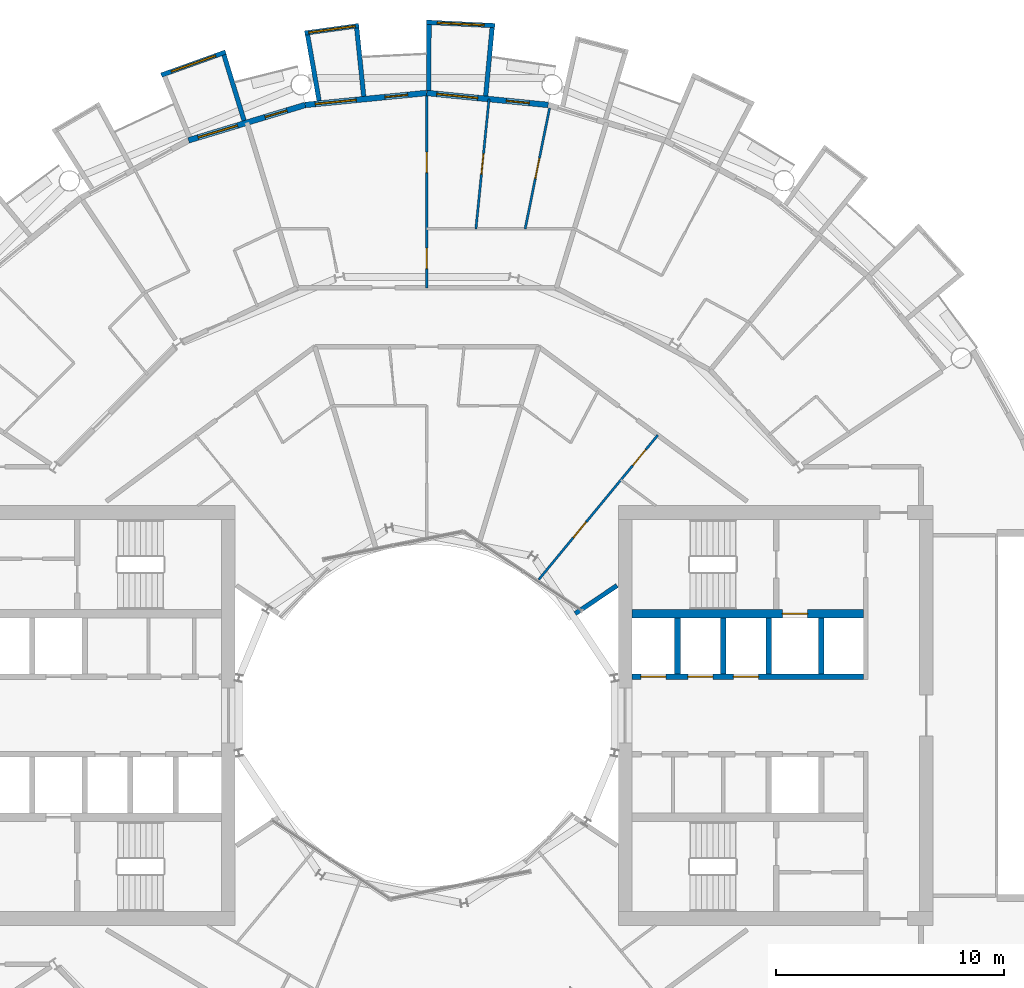
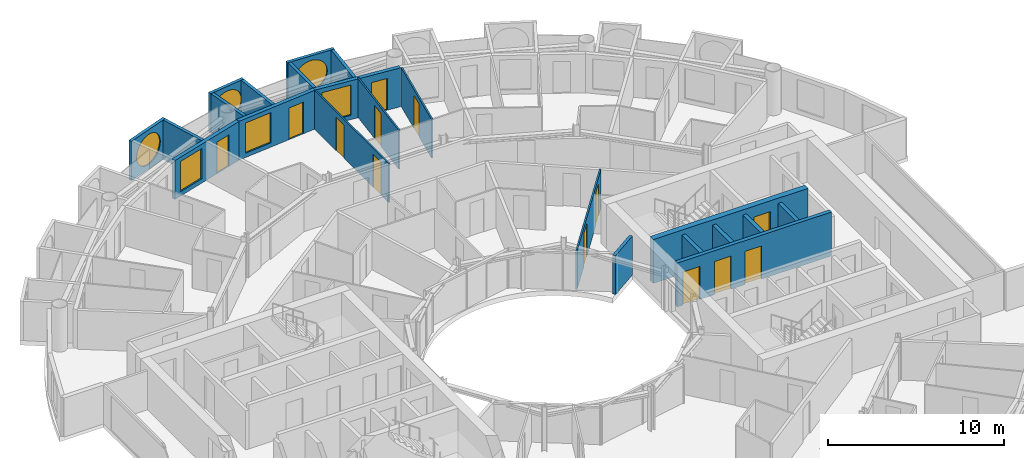
# One storey, part 21 of 27: 22 walls, 13 doors, 6 windows, 19 openings.
"""IFC4 building model written with IfcOpenShell, lengths in metres."""

from ifc_helpers import new_model, si_unit, direction, frame, frame_2d, origin, place, context, subcontext, project, spatial, rectangle, circle, extrude, material, layer, layer_set, type_object, element, fill, save


model = new_model("IFC4")

# Units and contexts
model_context = context("Model", 3, precision=1e-05, world=origin(), true_north=direction((0.0, 1.0)))
body_context = subcontext(model_context, "Body", "Model", "MODEL_VIEW")
ifc_project = project(units=[si_unit("LENGTHUNIT", "METRE"), si_unit("AREAUNIT", "SQUARE_METRE"), si_unit("VOLUMEUNIT", "CUBIC_METRE"), si_unit("PLANEANGLEUNIT", "RADIAN"), si_unit("MASSUNIT", "GRAM", prefix="KILO")], contexts=[model_context])

# Site, building, storey
site_placement = place(None, origin())
site = spatial("IfcSite", under=ifc_project, at=site_placement, CompositionType="ELEMENT")
building_placement = place(site_placement, origin())
building = spatial("IfcBuilding", under=site, at=building_placement, Name="Maasbend Ring Residences", CompositionType="ELEMENT")
storey_placement = place(building_placement, frame((0.0, 0.0, 120.800048828125)))
storey = spatial("IfcBuildingStorey", under=building, at=storey_placement, Name="L34", CompositionType="ELEMENT", Elevation=120.800048828125)

# Wall, openings, doors
ifc_material_1 = material(Name="Concrete C60/75", Category="concrete")
ifc_layer_1 = layer(ifc_material_1, 0.25)
ifc_layer_set_1 = layer_set([ifc_layer_1], Name="Concrete C60/75")
wall_type_1 = type_object("IfcWallType", Name="CORE WALL 250 C60/75", PredefinedType="SHEAR", material=ifc_layer_set_1)
wall_1_placement = place(storey_placement, frame((9.0, 1.699951171875, 0.0), z_axis=(0.0, 0.0, 1.0), x_axis=(1.0, 0.0, 0.0)))
wall_1 = element("IfcWall", 1, at=wall_1_placement, inside=storey, type_object=wall_type_1, Name="L34 core E wall SPN", PredefinedType="SHEAR", context=body_context, shape_type="SweptSolid", body=[
    extrude(rectangle(XDim=10.14990234375, YDim=0.25, at=frame_2d((5.074951171875, 0.0))), origin(), (0.0, 0.0, 1.0), 3.050048828125),
])
opening_1_placement = place(wall_1_placement, frame((0.387451171875, 0.0, 0.0)))
opening_1 = element("IfcOpeningElement", 2, at=opening_1_placement, cuts=wall_1, Name="Opening LD-E3401", PredefinedType="OPENING", context=body_context, shape_type="SweptSolid", body=[
    extrude(rectangle(XDim=1.10009765625, YDim=2.300048828125, at=frame_2d((0.550048828125, 1.14990234375))), frame((0.0, 0.135009765625, 0.0), z_axis=(0.0, -1.0, 0.0), x_axis=(1.0, 0.0, 0.0)), (0.0, 0.0, 1.0), 0.27001953125),
])
opening_2_placement = place(wall_1_placement, frame((2.449951171875, 0.0, 0.0)))
opening_2 = element("IfcOpeningElement", 3, at=opening_2_placement, cuts=wall_1, Name="Opening LD-E3402", PredefinedType="OPENING", context=body_context, shape_type="SweptSolid", body=[
    extrude(rectangle(XDim=1.10009765625, YDim=2.300048828125, at=frame_2d((0.550048828125, 1.14990234375))), frame((0.0, 0.135009765625, 0.0), z_axis=(0.0, -1.0, 0.0), x_axis=(1.0, 0.0, 0.0)), (0.0, 0.0, 1.0), 0.27001953125),
])
opening_3_placement = place(wall_1_placement, frame((4.449951171875, 0.0, 0.0)))
opening_3 = element("IfcOpeningElement", 4, at=opening_3_placement, cuts=wall_1, Name="Opening LD-E3403", PredefinedType="OPENING", context=body_context, shape_type="SweptSolid", body=[
    extrude(rectangle(XDim=1.10009765625, YDim=2.300048828125, at=frame_2d((0.550048828125, 1.14990234375))), frame((0.0, 0.135009765625, 0.0), z_axis=(0.0, -1.0, 0.0), x_axis=(1.0, 0.0, 0.0)), (0.0, 0.0, 1.0), 0.27001953125),
])
ifc_material_2 = material(Name="Stainless steel 316", Category="steel")
door_type_1 = type_object("IfcDoorType", Name="LANDING DOOR 1100 X 2300 FD60", OperationType="DOUBLE_DOOR_SLIDING", PredefinedType="DOOR", material=ifc_material_2)
door_1_placement = place(opening_1_placement, origin())
door_1 = element("IfcDoor", 5, at=door_1_placement, inside=storey, type_object=door_type_1, Name="Landing door LR-E1 L34", OperationType="DOUBLE_DOOR_SLIDING", OverallHeight=2.300048828125, OverallWidth=1.10009765625, PredefinedType="DOOR", context=body_context, shape_type="SweptSolid", body=[
    extrude(rectangle(XDim=1.10009765625, YDim=2.300048828125, at=frame_2d((0.550048828125, 1.14990234375))), frame((0.0, 0.02490234375, 0.0), z_axis=(0.0, -1.0, 0.0), x_axis=(1.0, 0.0, 0.0)), (0.0, 0.0, 1.0), 0.050048828125),
])
fill(opening_1, door_1)
door_2_placement = place(opening_2_placement, origin())
door_2 = element("IfcDoor", 6, at=door_2_placement, inside=storey, type_object=door_type_1, Name="Landing door LR-E2 L34", OperationType="DOUBLE_DOOR_SLIDING", OverallHeight=2.300048828125, OverallWidth=1.10009765625, PredefinedType="DOOR", context=body_context, shape_type="SweptSolid", body=[
    extrude(rectangle(XDim=1.10009765625, YDim=2.300048828125, at=frame_2d((0.550048828125, 1.14990234375))), frame((0.0, 0.02490234375, 0.0), z_axis=(0.0, -1.0, 0.0), x_axis=(1.0, 0.0, 0.0)), (0.0, 0.0, 1.0), 0.050048828125),
])
fill(opening_2, door_2)
door_3_placement = place(opening_3_placement, origin())
door_3 = element("IfcDoor", 7, at=door_3_placement, inside=storey, type_object=door_type_1, Name="Landing door LR-E3 L34", OperationType="DOUBLE_DOOR_SLIDING", OverallHeight=2.300048828125, OverallWidth=1.10009765625, PredefinedType="DOOR", context=body_context, shape_type="SweptSolid", body=[
    extrude(rectangle(XDim=1.10009765625, YDim=2.300048828125, at=frame_2d((0.550048828125, 1.14990234375))), frame((0.0, 0.02490234375, 0.0), z_axis=(0.0, -1.0, 0.0), x_axis=(1.0, 0.0, 0.0)), (0.0, 0.0, 1.0), 0.050048828125),
])
fill(opening_3, door_3)

# Wall, opening, door
ifc_material_3 = material(Name="Concrete C60/75", Category="concrete")
ifc_layer_2 = layer(ifc_material_3, 0.375)
ifc_layer_set_2 = layer_set([ifc_layer_2], Name="Concrete C60/75")
wall_type_2 = type_object("IfcWallType", Name="CORE WALL 375 C60/75", PredefinedType="SHEAR", material=ifc_layer_set_2)
wall_2_placement = place(storey_placement, frame((9.0, 4.46240234375, 0.0), z_axis=(0.0, 0.0, 1.0), x_axis=(1.0, 0.0, 0.0)))
wall_2 = element("IfcWall", 8, at=wall_2_placement, inside=storey, type_object=wall_type_2, Name="L34 core E wall BN", PredefinedType="SHEAR", context=body_context, shape_type="SweptSolid", body=[
    extrude(rectangle(XDim=10.14990234375, YDim=0.375, at=frame_2d((5.074951171875, 0.0))), origin(), (0.0, 0.0, 1.0), 3.050048828125),
])
opening_4_placement = place(wall_2_placement, frame((6.60009765625, 0.0, 0.0)))
opening_4 = element("IfcOpeningElement", 9, at=opening_4_placement, cuts=wall_2, Name="Opening LD-E3404", PredefinedType="OPENING", context=body_context, shape_type="SweptSolid", body=[
    extrude(rectangle(XDim=1.10009765625, YDim=2.300048828125, at=frame_2d((0.550048828125, 1.14990234375))), frame((0.0, 0.197509765625, 0.0), z_axis=(0.0, -1.0, 0.0), x_axis=(1.0, 0.0, 0.0)), (0.0, 0.0, 1.0), 0.39501953125),
])
door_4_placement = place(opening_4_placement, origin())
door_4 = element("IfcDoor", 10, at=door_4_placement, inside=storey, type_object=door_type_1, Name="Landing door FF-E L34", OperationType="DOUBLE_DOOR_SLIDING", OverallHeight=2.300048828125, OverallWidth=1.10009765625, PredefinedType="DOOR", context=body_context, shape_type="SweptSolid", body=[
    extrude(rectangle(XDim=1.10009765625, YDim=2.300048828125, at=frame_2d((0.550048828125, 1.14990234375))), frame((0.0, 0.02490234375, 0.0), z_axis=(0.0, -1.0, 0.0), x_axis=(1.0, 0.0, 0.0)), (0.0, 0.0, 1.0), 0.050048828125),
])
fill(opening_4, door_4)

# Wall, opening, window
ifc_material_4 = material(Name="Pale anodised aluminium panel", Category="aluminium")
ifc_layer_3 = layer(ifc_material_4, 0.199951171875)
ifc_layer_set_3 = layer_set([ifc_layer_3], Name="EW-BOX")
wall_type_3 = type_object("IfcWallType", Name="EW-BOX", PredefinedType="SOLIDWALL", material=ifc_layer_set_3)
wall_3_placement = place(storey_placement, frame((2.985107421875, 30.2529296875, -0.030029296875), z_axis=(0.0, 0.0, 1.0), x_axis=(-0.998794083011, 0.049095618353, 0.0)))
wall_3 = element("IfcWall", 11, at=wall_3_placement, inside=storey, type_object=wall_type_3, Name="Box front N10", PredefinedType="SOLIDWALL", context=body_context, shape_type="SweptSolid", body=[
    extrude(rectangle(XDim=2.99365234375, YDim=0.199951171875, at=frame_2d((1.496826171875, 0.0))), origin(), (0.0, 0.0, 1.0), 2.72998046875),
])
opening_5_placement = place(wall_3_placement, frame((0.45654296875, 0.0, 0.330078125)))
opening_5 = element("IfcOpeningElement", 12, at=opening_5_placement, cuts=wall_3, Name="Opening W-RD", PredefinedType="OPENING", context=body_context, shape_type="SweptSolid", body=[
    extrude(circle(Radius=1.0400390625, at=frame_2d((1.0400390625, 1.0400390625))), frame((0.0, 0.10986328125, 0.0), z_axis=(0.0, -1.0, 0.0), x_axis=(1.0, 0.0, 0.0)), (0.0, 0.0, 1.0), 0.219970703125),
])
ifc_material_5 = material(Name="Aluminium and clear glass", Category="aluminium")
window_type_1 = type_object("IfcWindowType", Name="W-RD", PartitioningType="SINGLE_PANEL", PredefinedType="WINDOW", material=ifc_material_5)
window_1_placement = place(opening_5_placement, origin())
window_1 = element("IfcWindow", 13, at=window_1_placement, inside=storey, type_object=window_type_1, Name="Round window N10", OverallHeight=2.080078125, OverallWidth=2.080078125, PartitioningType="SINGLE_PANEL", PredefinedType="WINDOW", context=body_context, shape_type="SweptSolid", body=[
    extrude(circle(Radius=1.0400390625, at=frame_2d((1.0400390625, 1.0400390625))), frame((0.0, 0.030029296875, 0.0), z_axis=(0.0, -1.0, 0.0), x_axis=(1.0, 0.0, 0.0)), (0.0, 0.0, 1.0), 0.06005859375),
])
fill(opening_5, window_1)

# Walls
wall_4_placement = place(storey_placement, frame((2.5859375, 27.1708984375, -0.030029296875), z_axis=(0.0, 0.0, 1.0), x_axis=(0.094548432284, 0.995520262954, 0.0)))
element("IfcWall", 14, at=wall_4_placement, inside=storey, type_object=wall_type_3, Name="Box side wall N10 left", PredefinedType="SOLIDWALL", context=body_context, shape_type="SweptSolid", body=[
    extrude(rectangle(XDim=3.005615234375, YDim=0.199951171875, at=frame_2d((1.5029296875, 0.0))), origin(), (0.0, 0.0, 1.0), 2.72998046875),
])
wall_5_placement = place(storey_placement, frame((0.090087890625, 27.4169921875, -0.030029296875), z_axis=(0.0, 0.0, 1.0), x_axis=(0.00347308367, 0.999993968827, 0.0)))
element("IfcWall", 15, at=wall_5_placement, inside=storey, type_object=wall_type_3, Name="Box side wall N10 right", PredefinedType="SOLIDWALL", context=body_context, shape_type="SweptSolid", body=[
    extrude(rectangle(XDim=2.882080078125, YDim=0.199951171875, at=frame_2d((1.44091796875, 0.0))), origin(), (0.0, 0.0, 1.0), 2.72998046875),
])

# Wall, opening, window
wall_6_placement = place(storey_placement, frame((-2.97607421875, 30.25390625, -0.030029296875), z_axis=(0.0, 0.0, 1.0), x_axis=(-0.99061207328, -0.136703036805, 0.0)))
wall_6 = element("IfcWall", 16, at=wall_6_placement, inside=storey, type_object=wall_type_3, Name="Box front N12", PredefinedType="SOLIDWALL", context=body_context, shape_type="SweptSolid", body=[
    extrude(rectangle(XDim=2.391357421875, YDim=0.199951171875, at=frame_2d((1.19580078125, 0.0))), origin(), (0.0, 0.0, 1.0), 2.72998046875),
])
opening_6_placement = place(wall_6_placement, frame((0.15576171875, 0.0, 0.330078125)))
opening_6 = element("IfcOpeningElement", 17, at=opening_6_placement, cuts=wall_6, Name="Opening W-RD", PredefinedType="OPENING", context=body_context, shape_type="SweptSolid", body=[
    extrude(circle(Radius=1.0400390625, at=frame_2d((1.0400390625, 1.0400390625))), frame((0.0, 0.10986328125, 0.0), z_axis=(0.0, -1.0, 0.0), x_axis=(1.0, 0.0, 0.0)), (0.0, 0.0, 1.0), 0.219970703125),
])
window_2_placement = place(opening_6_placement, origin())
window_2 = element("IfcWindow", 18, at=window_2_placement, inside=storey, type_object=window_type_1, Name="Round window N12", OverallHeight=2.080078125, OverallWidth=2.080078125, PartitioningType="SINGLE_PANEL", PredefinedType="WINDOW", context=body_context, shape_type="SweptSolid", body=[
    extrude(circle(Radius=1.0400390625, at=frame_2d((1.0400390625, 1.0400390625))), frame((0.0, 0.030029296875, 0.0), z_axis=(0.0, -1.0, 0.0), x_axis=(1.0, 0.0, 0.0)), (0.0, 0.0, 1.0), 0.06005859375),
])
fill(opening_6, window_2)

# Walls
wall_7_placement = place(storey_placement, frame((-2.763916015625, 27.153076171875, -0.030029296875), z_axis=(0.0, 0.0, 1.0), x_axis=(-0.101505487237, 0.994834979311, 0.0)))
element("IfcWall", 19, at=wall_7_placement, inside=storey, type_object=wall_type_3, Name="Box side wall N12 left", PredefinedType="SOLIDWALL", context=body_context, shape_type="SweptSolid", body=[
    extrude(rectangle(XDim=3.006591796875, YDim=0.199951171875, at=frame_2d((1.50341796875, 0.0))), origin(), (0.0, 0.0, 1.0), 2.72998046875),
])
wall_8_placement = place(storey_placement, frame((-4.719970703125, 26.9609375, -0.030029296875), z_axis=(0.0, 0.0, 1.0), x_axis=(-0.172463232037, 0.98501595601, 0.0)))
element("IfcWall", 20, at=wall_8_placement, inside=storey, type_object=wall_type_3, Name="Box side wall N12 right", PredefinedType="SOLIDWALL", context=body_context, shape_type="SweptSolid", body=[
    extrude(rectangle(XDim=2.928955078125, YDim=0.199951171875, at=frame_2d((1.46435546875, 0.0))), origin(), (0.0, 0.0, 1.0), 2.72998046875),
])

# Wall, opening, window
wall_9_placement = place(storey_placement, frame((-8.820068359375, 29.093017578125, -0.030029296875), z_axis=(0.0, 0.0, 1.0), x_axis=(-0.941461077774, -0.337121697664, 0.0)))
wall_9 = element("IfcWall", 21, at=wall_9_placement, inside=storey, type_object=wall_type_3, Name="Box front N14", PredefinedType="SOLIDWALL", context=body_context, shape_type="SweptSolid", body=[
    extrude(rectangle(XDim=2.9931640625, YDim=0.199951171875, at=frame_2d((1.49658203125, 0.0))), origin(), (0.0, 0.0, 1.0), 2.72998046875),
])
opening_7_placement = place(wall_9_placement, frame((0.45654296875, 0.0, 0.330078125)))
opening_7 = element("IfcOpeningElement", 22, at=opening_7_placement, cuts=wall_9, Name="Opening W-RD", PredefinedType="OPENING", context=body_context, shape_type="SweptSolid", body=[
    extrude(circle(Radius=1.0400390625, at=frame_2d((1.0400390625, 1.0400390625))), frame((0.0, 0.10986328125, 0.0), z_axis=(0.0, -1.0, 0.0), x_axis=(1.0, 0.0, 0.0)), (0.0, 0.0, 1.0), 0.219970703125),
])
window_3_placement = place(opening_7_placement, origin())
window_3 = element("IfcWindow", 23, at=window_3_placement, inside=storey, type_object=window_type_1, Name="Round window N14", OverallHeight=2.080078125, OverallWidth=2.080078125, PartitioningType="SINGLE_PANEL", PredefinedType="WINDOW", context=body_context, shape_type="SweptSolid", body=[
    extrude(circle(Radius=1.0400390625, at=frame_2d((1.0400390625, 1.0400390625))), frame((0.0, 0.030029296875, 0.0), z_axis=(0.0, -1.0, 0.0), x_axis=(1.0, 0.0, 0.0)), (0.0, 0.0, 1.0), 0.06005859375),
])
fill(opening_7, window_3)

# Wall
wall_10_placement = place(storey_placement, frame((-8.009033203125, 26.092041015625, -0.030029296875), z_axis=(0.0, 0.0, 1.0), x_axis=(-0.293406695073, 0.955987715029, 0.0)))
element("IfcWall", 24, at=wall_10_placement, inside=storey, type_object=wall_type_3, Name="Box side wall N14 left", PredefinedType="SOLIDWALL", context=body_context, shape_type="SweptSolid", body=[
    extrude(rectangle(XDim=3.00634765625, YDim=0.199951171875, at=frame_2d((1.503173828125, 0.0))), origin(), (0.0, 0.0, 1.0), 2.72998046875),
])

# Wall, openings, door, window
ifc_material_6 = material(Name="Aluminium clad insulated panel", Category="aluminium")
ifc_layer_4 = layer(ifc_material_6, 0.25)
ifc_layer_set_4 = layer_set([ifc_layer_4], Name="EW-GL")
wall_type_4 = type_object("IfcWallType", Name="EW-GL", PredefinedType="SOLIDWALL", material=ifc_layer_set_4)
wall_11_placement = place(storey_placement, frame((5.325927734375, 26.77490234375, 0.0), z_axis=(0.0, 0.0, 1.0), x_axis=(-0.995173996315, 0.098126026407, 0.0)))
wall_11 = element("IfcWall", 25, at=wall_11_placement, inside=storey, type_object=wall_type_4, Name="External wall N05", PredefinedType="SOLIDWALL", context=body_context, shape_type="SweptSolid", body=[
    extrude(rectangle(XDim=5.351806640625, YDim=0.25, at=frame_2d((2.67578125, 0.0))), origin(), (0.0, 0.0, 1.0), 2.699951171875),
])
opening_8_placement = place(wall_11_placement, frame((0.841064453125, 0.0, 0.0)))
opening_8 = element("IfcOpeningElement", 26, at=opening_8_placement, cuts=wall_11, Name="Opening D-LG", PredefinedType="OPENING", context=body_context, shape_type="SweptSolid", body=[
    extrude(rectangle(XDim=1.0, YDim=2.199951171875, at=frame_2d((0.5, 1.10009765625))), frame((0.0, 0.135009765625, 0.0), z_axis=(0.0, -1.0, 0.0), x_axis=(1.0, 0.0, 0.0)), (0.0, 0.0, 1.0), 0.27001953125),
])
opening_9_placement = place(wall_11_placement, frame((3.110595703125, 0.0, 0.300048828125)))
opening_9 = element("IfcOpeningElement", 27, at=opening_9_placement, cuts=wall_11, Name="Opening W-BX", PredefinedType="OPENING", context=body_context, shape_type="SweptSolid", body=[
    extrude(rectangle(XDim=1.800048828125, YDim=2.10009765625, at=frame_2d((0.89990234375, 1.050048828125))), frame((0.0, 0.135009765625, 0.0), z_axis=(0.0, -1.0, 0.0), x_axis=(1.0, 0.0, 0.0)), (0.0, 0.0, 1.0), 0.27001953125),
])
ifc_material_7 = material(Name="Aluminium and clear glass", Category="aluminium")
door_type_2 = type_object("IfcDoorType", Name="D-LG", OperationType="SINGLE_SWING_LEFT", PredefinedType="DOOR", material=ifc_material_7)
door_5_placement = place(opening_8_placement, origin())
door_5 = element("IfcDoor", 28, at=door_5_placement, inside=storey, type_object=door_type_2, Name="Loggia door N09", OperationType="SINGLE_SWING_LEFT", OverallHeight=2.199951171875, OverallWidth=1.0, PredefinedType="DOOR", context=body_context, shape_type="SweptSolid", body=[
    extrude(rectangle(XDim=1.0, YDim=2.199951171875, at=frame_2d((0.5, 1.10009765625))), frame((0.0, 0.02490234375, 0.0), z_axis=(0.0, -1.0, 0.0), x_axis=(1.0, 0.0, 0.0)), (0.0, 0.0, 1.0), 0.050048828125),
])
fill(opening_8, door_5)
ifc_material_8 = material(Name="Aluminium and clear glass", Category="aluminium")
window_type_2 = type_object("IfcWindowType", Name="W-BX", PartitioningType="DOUBLE_PANEL_VERTICAL", PredefinedType="WINDOW", material=ifc_material_8)
window_4_placement = place(opening_9_placement, origin())
window_4 = element("IfcWindow", 29, at=window_4_placement, inside=storey, type_object=window_type_2, Name="Window N10 room to box", OverallHeight=2.10009765625, OverallWidth=1.800048828125, PartitioningType="SINGLE_PANEL", PredefinedType="WINDOW", context=body_context, shape_type="SweptSolid", body=[
    extrude(rectangle(XDim=1.800048828125, YDim=2.10009765625, at=frame_2d((0.89990234375, 1.050048828125))), frame((0.0, 0.030029296875, 0.0), z_axis=(0.0, -1.0, 0.0), x_axis=(1.0, 0.0, 0.0)), (0.0, 0.0, 1.0), 0.06005859375),
])
fill(opening_9, window_4)

wall_12_placement = place(storey_placement, frame((0.0, 27.300048828125, 0.0), z_axis=(0.0, 0.0, 1.0), x_axis=(-0.995173996315, -0.098126026407, 0.0)))
wall_12 = element("IfcWall", 30, at=wall_12_placement, inside=storey, type_object=wall_type_4, Name="External wall N06", PredefinedType="SOLIDWALL", context=body_context, shape_type="SweptSolid", body=[
    extrude(rectangle(XDim=5.351806640625, YDim=0.25, at=frame_2d((2.67578125, 0.0))), origin(), (0.0, 0.0, 1.0), 2.699951171875),
])
opening_10_placement = place(wall_12_placement, frame((0.841064453125, 0.0, 0.0)))
opening_10 = element("IfcOpeningElement", 31, at=opening_10_placement, cuts=wall_12, Name="Opening D-LG", PredefinedType="OPENING", context=body_context, shape_type="SweptSolid", body=[
    extrude(rectangle(XDim=1.0, YDim=2.199951171875, at=frame_2d((0.5, 1.10009765625))), frame((0.0, 0.135009765625, 0.0), z_axis=(0.0, -1.0, 0.0), x_axis=(1.0, 0.0, 0.0)), (0.0, 0.0, 1.0), 0.27001953125),
])
opening_11_placement = place(wall_12_placement, frame((3.110595703125, 0.0, 0.300048828125)))
opening_11 = element("IfcOpeningElement", 32, at=opening_11_placement, cuts=wall_12, Name="Opening W-BX", PredefinedType="OPENING", context=body_context, shape_type="SweptSolid", body=[
    extrude(rectangle(XDim=1.800048828125, YDim=2.10009765625, at=frame_2d((0.89990234375, 1.050048828125))), frame((0.0, 0.135009765625, 0.0), z_axis=(0.0, -1.0, 0.0), x_axis=(1.0, 0.0, 0.0)), (0.0, 0.0, 1.0), 0.27001953125),
])
door_6_placement = place(opening_10_placement, origin())
door_6 = element("IfcDoor", 33, at=door_6_placement, inside=storey, type_object=door_type_2, Name="Loggia door N11", OperationType="SINGLE_SWING_LEFT", OverallHeight=2.199951171875, OverallWidth=1.0, PredefinedType="DOOR", context=body_context, shape_type="SweptSolid", body=[
    extrude(rectangle(XDim=1.0, YDim=2.199951171875, at=frame_2d((0.5, 1.10009765625))), frame((0.0, 0.02490234375, 0.0), z_axis=(0.0, -1.0, 0.0), x_axis=(1.0, 0.0, 0.0)), (0.0, 0.0, 1.0), 0.050048828125),
])
fill(opening_10, door_6)
window_5_placement = place(opening_11_placement, origin())
window_5 = element("IfcWindow", 34, at=window_5_placement, inside=storey, type_object=window_type_2, Name="Window N12 room to box", OverallHeight=2.10009765625, OverallWidth=1.800048828125, PartitioningType="SINGLE_PANEL", PredefinedType="WINDOW", context=body_context, shape_type="SweptSolid", body=[
    extrude(rectangle(XDim=1.800048828125, YDim=2.10009765625, at=frame_2d((0.89990234375, 1.050048828125))), frame((0.0, 0.030029296875, 0.0), z_axis=(0.0, -1.0, 0.0), x_axis=(1.0, 0.0, 0.0)), (0.0, 0.0, 1.0), 0.06005859375),
])
fill(opening_11, window_5)

wall_13_placement = place(storey_placement, frame((-5.325927734375, 26.77490234375, 0.0), z_axis=(0.0, 0.0, 1.0), x_axis=(-0.956965678721, -0.290201119486, 0.0)))
wall_13 = element("IfcWall", 35, at=wall_13_placement, inside=storey, type_object=wall_type_4, Name="External wall N07", PredefinedType="SOLIDWALL", context=body_context, shape_type="SweptSolid", body=[
    extrude(rectangle(XDim=5.351318359375, YDim=0.25, at=frame_2d((2.67578125, 0.0))), origin(), (0.0, 0.0, 1.0), 2.699951171875),
])
opening_12_placement = place(wall_13_placement, frame((0.841064453125, 0.0, 0.0)))
opening_12 = element("IfcOpeningElement", 36, at=opening_12_placement, cuts=wall_13, Name="Opening D-LG", PredefinedType="OPENING", context=body_context, shape_type="SweptSolid", body=[
    extrude(rectangle(XDim=1.0, YDim=2.199951171875, at=frame_2d((0.5, 1.10009765625))), frame((0.0, 0.135009765625, 0.0), z_axis=(0.0, -1.0, 0.0), x_axis=(1.0, 0.0, 0.0)), (0.0, 0.0, 1.0), 0.27001953125),
])
opening_13_placement = place(wall_13_placement, frame((3.110595703125, 0.0, 0.300048828125)))
opening_13 = element("IfcOpeningElement", 37, at=opening_13_placement, cuts=wall_13, Name="Opening W-BX", PredefinedType="OPENING", context=body_context, shape_type="SweptSolid", body=[
    extrude(rectangle(XDim=1.800048828125, YDim=2.10009765625, at=frame_2d((0.89990234375, 1.050048828125))), frame((0.0, 0.135009765625, 0.0), z_axis=(0.0, -1.0, 0.0), x_axis=(1.0, 0.0, 0.0)), (0.0, 0.0, 1.0), 0.27001953125),
])
door_7_placement = place(opening_12_placement, origin())
door_7 = element("IfcDoor", 38, at=door_7_placement, inside=storey, type_object=door_type_2, Name="Loggia door N13", OperationType="SINGLE_SWING_LEFT", OverallHeight=2.199951171875, OverallWidth=1.0, PredefinedType="DOOR", context=body_context, shape_type="SweptSolid", body=[
    extrude(rectangle(XDim=1.0, YDim=2.199951171875, at=frame_2d((0.5, 1.10009765625))), frame((0.0, 0.02490234375, 0.0), z_axis=(0.0, -1.0, 0.0), x_axis=(1.0, 0.0, 0.0)), (0.0, 0.0, 1.0), 0.050048828125),
])
fill(opening_12, door_7)
window_6_placement = place(opening_13_placement, origin())
window_6 = element("IfcWindow", 39, at=window_6_placement, inside=storey, type_object=window_type_2, Name="Window N14 room to box", OverallHeight=2.10009765625, OverallWidth=1.800048828125, PartitioningType="SINGLE_PANEL", PredefinedType="WINDOW", context=body_context, shape_type="SweptSolid", body=[
    extrude(rectangle(XDim=1.800048828125, YDim=2.10009765625, at=frame_2d((0.89990234375, 1.050048828125))), frame((0.0, 0.030029296875, 0.0), z_axis=(0.0, -1.0, 0.0), x_axis=(1.0, 0.0, 0.0)), (0.0, 0.0, 1.0), 0.06005859375),
])
fill(opening_13, window_6)

# Wall, openings, doors
ifc_material_9 = material(Name="Gypsum board on steel studs", Category="steel")
ifc_layer_5 = layer(ifc_material_9, 0.10009765625)
ifc_layer_set_5 = layer_set([ifc_layer_5], Name="PARTITION 100 GYPSUM")
wall_type_5 = type_object("IfcWallType", Name="PARTITION 100 GYPSUM", PredefinedType="PARTITIONING", material=ifc_layer_set_5)
wall_14_placement = place(storey_placement, frame((0.0, 18.756103515625, 0.0), z_axis=(0.0, 0.0, 1.0), x_axis=(0.0, 1.0, 0.0)))
wall_14 = element("IfcWall", 40, at=wall_14_placement, inside=storey, type_object=wall_type_5, Name="U-L34-w058", PredefinedType="PARTITIONING", context=body_context, shape_type="SweptSolid", body=[
    extrude(rectangle(XDim=8.4189453125, YDim=0.10009765625, at=frame_2d((4.20947265625, 0.0))), origin(), (0.0, 0.0, 1.0), 2.699951171875),
])
opening_14_placement = place(wall_14_placement, frame((0.842041015625, 0.0, 0.0)))
opening_14 = element("IfcOpeningElement", 41, at=opening_14_placement, cuts=wall_14, Name="Opening D-3410", PredefinedType="OPENING", context=body_context, shape_type="SweptSolid", body=[
    extrude(rectangle(XDim=0.89990234375, YDim=2.300048828125, at=frame_2d((0.449951171875, 1.14990234375))), frame((0.0, 0.06005859375, 0.0), z_axis=(0.0, -1.0, 0.0), x_axis=(1.0, 0.0, 0.0)), (0.0, 0.0, 1.0), 0.1201171875),
])
opening_15_placement = place(wall_14_placement, frame((5.052001953125, 0.0, 0.0)))
opening_15 = element("IfcOpeningElement", 42, at=opening_15_placement, cuts=wall_14, Name="Opening D-3411", PredefinedType="OPENING", context=body_context, shape_type="SweptSolid", body=[
    extrude(rectangle(XDim=0.89990234375, YDim=2.300048828125, at=frame_2d((0.449951171875, 1.14990234375))), frame((0.0, 0.06005859375, 0.0), z_axis=(0.0, -1.0, 0.0), x_axis=(1.0, 0.0, 0.0)), (0.0, 0.0, 1.0), 0.1201171875),
])
ifc_material_10 = material(Name="Timber, painted", Category="wood")
door_type_3 = type_object("IfcDoorType", Name="INTERNAL DOOR 900 X 2300", OperationType="NOTDEFINED", PredefinedType="DOOR", material=ifc_material_10)
door_8_placement = place(opening_14_placement, origin())
door_8 = element("IfcDoor", 43, at=door_8_placement, inside=storey, type_object=door_type_3, Name="D-3410", OperationType="SINGLE_SWING_LEFT", OverallHeight=2.300048828125, OverallWidth=0.89990234375, PredefinedType="DOOR", context=body_context, shape_type="SweptSolid", body=[
    extrude(rectangle(XDim=0.89990234375, YDim=2.300048828125, at=frame_2d((0.449951171875, 1.14990234375))), frame((0.0, 0.02490234375, 0.0), z_axis=(0.0, -1.0, 0.0), x_axis=(1.0, 0.0, 0.0)), (0.0, 0.0, 1.0), 0.050048828125),
])
fill(opening_14, door_8)
door_9_placement = place(opening_15_placement, origin())
door_9 = element("IfcDoor", 44, at=door_9_placement, inside=storey, type_object=door_type_3, Name="D-3411", OperationType="SINGLE_SWING_RIGHT", OverallHeight=2.300048828125, OverallWidth=0.89990234375, PredefinedType="DOOR", context=body_context, shape_type="SweptSolid", body=[
    extrude(rectangle(XDim=0.89990234375, YDim=2.300048828125, at=frame_2d((0.449951171875, 1.14990234375))), frame((0.0, 0.02490234375, 0.0), z_axis=(0.0, -1.0, 0.0), x_axis=(1.0, 0.0, 0.0)), (0.0, 0.0, 1.0), 0.050048828125),
])
fill(opening_15, door_9)

# Wall, opening, door
wall_15_placement = place(storey_placement, frame((2.156982421875, 21.340087890625, 0.0), z_axis=(0.0, 0.0, 1.0), x_axis=(0.100580133625, 0.99492896064, 0.0)))
wall_15 = element("IfcWall", 45, at=wall_15_placement, inside=storey, type_object=wall_type_5, Name="U-L34-w061", PredefinedType="PARTITIONING", context=body_context, shape_type="SweptSolid", body=[
    extrude(rectangle(XDim=5.72607421875, YDim=0.10009765625, at=frame_2d((2.863037109375, 0.0))), origin(), (0.0, 0.0, 1.0), 2.699951171875),
])
opening_16_placement = place(wall_15_placement, frame((2.4130859375, 0.0, 0.0)))
opening_16 = element("IfcOpeningElement", 46, at=opening_16_placement, cuts=wall_15, Name="Opening D-3412", PredefinedType="OPENING", context=body_context, shape_type="SweptSolid", body=[
    extrude(rectangle(XDim=0.89990234375, YDim=2.300048828125, at=frame_2d((0.449951171875, 1.14990234375))), frame((0.0, 0.06005859375, 0.0), z_axis=(0.0, -1.0, 0.0), x_axis=(1.0, 0.0, 0.0)), (0.0, 0.0, 1.0), 0.1201171875),
])
door_10_placement = place(opening_16_placement, origin())
door_10 = element("IfcDoor", 47, at=door_10_placement, inside=storey, type_object=door_type_3, Name="D-3412", OperationType="SINGLE_SWING_RIGHT", OverallHeight=2.300048828125, OverallWidth=0.89990234375, PredefinedType="DOOR", context=body_context, shape_type="SweptSolid", body=[
    extrude(rectangle(XDim=0.89990234375, YDim=2.300048828125, at=frame_2d((0.449951171875, 1.14990234375))), frame((0.0, 0.02490234375, 0.0), z_axis=(0.0, -1.0, 0.0), x_axis=(1.0, 0.0, 0.0)), (0.0, 0.0, 1.0), 0.050048828125),
])
fill(opening_16, door_10)

wall_16_placement = place(storey_placement, frame((4.31591796875, 21.340087890625, 0.0), z_axis=(0.0, 0.0, 1.0), x_axis=(0.198227216881, 0.98015609496, 0.0)))
wall_16 = element("IfcWall", 48, at=wall_16_placement, inside=storey, type_object=wall_type_5, Name="U-L34-w063", PredefinedType="PARTITIONING", context=body_context, shape_type="SweptSolid", body=[
    extrude(rectangle(XDim=5.403076171875, YDim=0.10009765625, at=frame_2d((2.70166015625, 0.0))), origin(), (0.0, 0.0, 1.0), 2.699951171875),
])
opening_17_placement = place(wall_16_placement, frame((2.251953125, 0.0, 0.0)))
opening_17 = element("IfcOpeningElement", 49, at=opening_17_placement, cuts=wall_16, Name="Opening D-3413", PredefinedType="OPENING", context=body_context, shape_type="SweptSolid", body=[
    extrude(rectangle(XDim=0.89990234375, YDim=2.300048828125, at=frame_2d((0.449951171875, 1.14990234375))), frame((0.0, 0.06005859375, 0.0), z_axis=(0.0, -1.0, 0.0), x_axis=(1.0, 0.0, 0.0)), (0.0, 0.0, 1.0), 0.1201171875),
])
door_11_placement = place(opening_17_placement, origin())
door_11 = element("IfcDoor", 50, at=door_11_placement, inside=storey, type_object=door_type_3, Name="D-3413", OperationType="SINGLE_SWING_RIGHT", OverallHeight=2.300048828125, OverallWidth=0.89990234375, PredefinedType="DOOR", context=body_context, shape_type="SweptSolid", body=[
    extrude(rectangle(XDim=0.89990234375, YDim=2.300048828125, at=frame_2d((0.449951171875, 1.14990234375))), frame((0.0, 0.02490234375, 0.0), z_axis=(0.0, -1.0, 0.0), x_axis=(1.0, 0.0, 0.0)), (0.0, 0.0, 1.0), 0.050048828125),
])
fill(opening_17, door_11)

# Wall, openings, doors
wall_17_placement = place(storey_placement, frame((4.908935546875, 5.9580078125, 0.0), z_axis=(0.0, 0.0, 1.0), x_axis=(0.635976043025, 0.771708800454, 0.0)))
wall_17 = element("IfcWall", 51, at=wall_17_placement, inside=storey, type_object=wall_type_5, Name="U-L34-w065", PredefinedType="PARTITIONING", context=body_context, shape_type="SweptSolid", body=[
    extrude(rectangle(XDim=8.212890625, YDim=0.10009765625, at=frame_2d((4.1064453125, 0.0))), origin(), (0.0, 0.0, 1.0), 2.699951171875),
])
opening_18_placement = place(wall_17_placement, frame((6.489990234375, 0.0, 0.0)))
opening_18 = element("IfcOpeningElement", 52, at=opening_18_placement, cuts=wall_17, Name="Opening D-3423", PredefinedType="OPENING", context=body_context, shape_type="SweptSolid", body=[
    extrude(rectangle(XDim=0.89990234375, YDim=2.300048828125, at=frame_2d((0.449951171875, 1.14990234375))), frame((0.0, 0.06005859375, 0.0), z_axis=(0.0, -1.0, 0.0), x_axis=(1.0, 0.0, 0.0)), (0.0, 0.0, 1.0), 0.1201171875),
])
opening_19_placement = place(wall_17_placement, frame((2.384033203125, 0.0, 0.0)))
opening_19 = element("IfcOpeningElement", 53, at=opening_19_placement, cuts=wall_17, Name="Opening D-3424", PredefinedType="OPENING", context=body_context, shape_type="SweptSolid", body=[
    extrude(rectangle(XDim=0.89990234375, YDim=2.300048828125, at=frame_2d((0.449951171875, 1.14990234375))), frame((0.0, 0.06005859375, 0.0), z_axis=(0.0, -1.0, 0.0), x_axis=(1.0, 0.0, 0.0)), (0.0, 0.0, 1.0), 0.1201171875),
])
door_12_placement = place(opening_18_placement, origin())
door_12 = element("IfcDoor", 54, at=door_12_placement, inside=storey, type_object=door_type_3, Name="D-3423", OperationType="SINGLE_SWING_RIGHT", OverallHeight=2.300048828125, OverallWidth=0.89990234375, PredefinedType="DOOR", context=body_context, shape_type="SweptSolid", body=[
    extrude(rectangle(XDim=0.89990234375, YDim=2.300048828125, at=frame_2d((0.449951171875, 1.14990234375))), frame((0.0, 0.02490234375, 0.0), z_axis=(0.0, -1.0, 0.0), x_axis=(1.0, 0.0, 0.0)), (0.0, 0.0, 1.0), 0.050048828125),
])
fill(opening_18, door_12)
door_13_placement = place(opening_19_placement, origin())
door_13 = element("IfcDoor", 55, at=door_13_placement, inside=storey, type_object=door_type_3, Name="D-3424", OperationType="SINGLE_SWING_LEFT", OverallHeight=2.300048828125, OverallWidth=0.89990234375, PredefinedType="DOOR", context=body_context, shape_type="SweptSolid", body=[
    extrude(rectangle(XDim=0.89990234375, YDim=2.300048828125, at=frame_2d((0.449951171875, 1.14990234375))), frame((0.0, 0.02490234375, 0.0), z_axis=(0.0, -1.0, 0.0), x_axis=(1.0, 0.0, 0.0)), (0.0, 0.0, 1.0), 0.050048828125),
])
fill(opening_19, door_13)

# Walls
ifc_material_11 = material(Name="Concrete C30/37", Category="concrete")
ifc_layer_6 = layer(ifc_material_11, 0.199951171875)
ifc_layer_set_6 = layer_set([ifc_layer_6], Name="Concrete C30/37")
wall_type_6 = type_object("IfcWallType", Name="PARTY WALL 200 CONCRETE", PredefinedType="PARTITIONING", material=ifc_layer_set_6)
wall_18_placement = place(storey_placement, frame((6.512939453125, 4.471923828125, 0.0), z_axis=(0.0, 0.0, 1.0), x_axis=(0.831333375071, 0.555774072347, 0.0)))
element("IfcWall", 56, at=wall_18_placement, inside=storey, type_object=wall_type_6, Name="U-L34-w084", PredefinedType="PARTITIONING", context=body_context, shape_type="SweptSolid", body=[
    extrude(rectangle(XDim=2.20263671875, YDim=0.199951171875, at=frame_2d((1.101318359375, 0.0))), origin(), (0.0, 0.0, 1.0), 2.699951171875),
])
ifc_material_12 = material(Name="Concrete C30/37", Category="concrete")
ifc_layer_7 = layer(ifc_material_12, 0.25)
ifc_layer_set_7 = layer_set([ifc_layer_7], Name="Concrete C30/37")
wall_type_7 = type_object("IfcWallType", Name="SHAFT WALL 250 EI 120", PredefinedType="SOLIDWALL", material=ifc_layer_set_7)
for number, where, z_axis, x_axis, name in (
    (57, (15.0, 1.824951171875, 0.0), (0.0, 0.0, 1.0), (0.0, 1.0, 0.0), "L34 core E wall D150N"),
    (58, (17.300048828125, 1.824951171875, 0.0), (0.0, 0.0, 1.0), (0.0, 1.0, 0.0), "L34 core E wall D173N"),
    (59, (11.0, 1.824951171875, 0.0), (0.0, 0.0, 1.0), (0.0, 1.0, 0.0), "L34 core E wall D110N"),
    (60, (13.0, 1.824951171875, 0.0), (0.0, 0.0, 1.0), (0.0, 1.0, 0.0), "L34 core E wall D130N"),
):
    element("IfcWall", number, at=place(storey_placement, frame(where, z_axis=z_axis, x_axis=x_axis)), inside=storey, type_object=wall_type_7, Name=name, PredefinedType="SOLIDWALL", context=body_context, shape_type="SweptSolid", body=[
        extrude(rectangle(XDim=2.449951171875, YDim=0.25, at=frame_2d((1.22509765625, 0.0))), origin(), (0.0, 0.0, 1.0), 2.699951171875),
    ])

save(model, "model.ifc")
